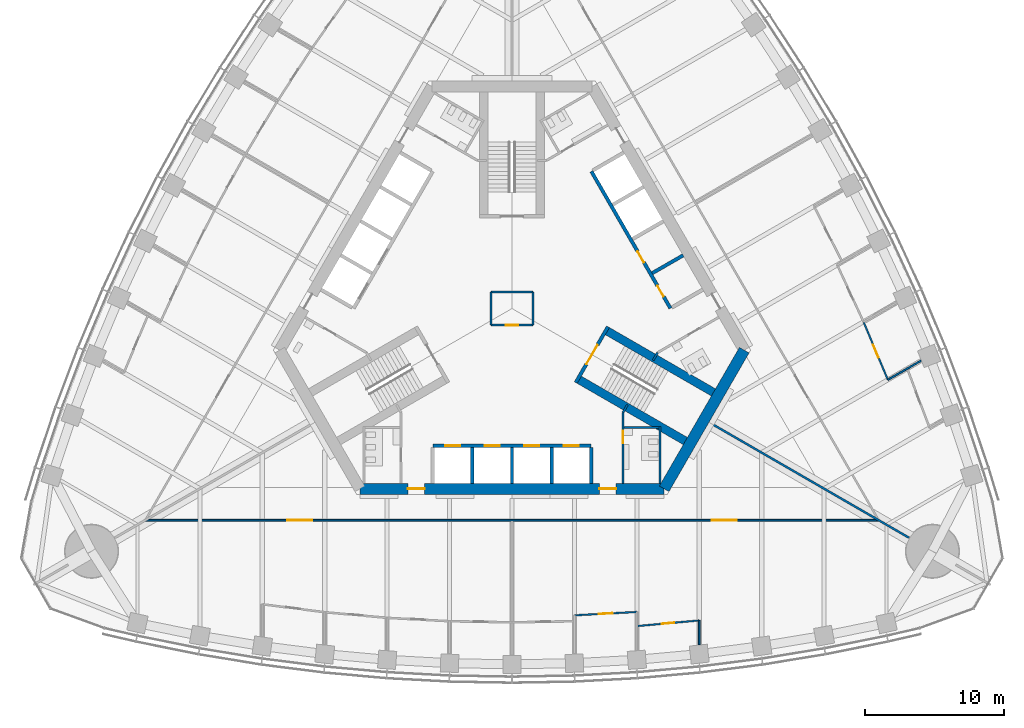
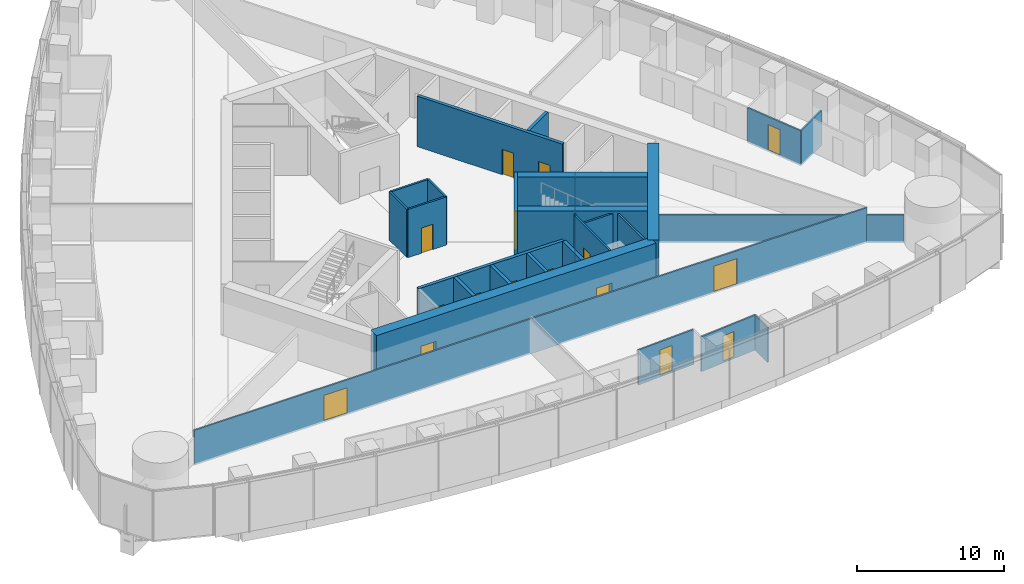
# One storey, part 12 of 19: 28 walls, 16 doors, 16 openings.
"""IFC4 building model written with IfcOpenShell, lengths in metres."""

from ifc_helpers import new_model, si_unit, direction, frame, frame_2d, origin, place, context, subcontext, project, spatial, rectangle, extrude, material, layer, layer_set, type_object, element, fill, save


model = new_model("IFC4")

# Units and contexts
model_context = context("Model", 3, precision=1e-05, world=origin(), true_north=direction((0.0, 1.0)))
body_context = subcontext(model_context, "Body", "Model", "MODEL_VIEW")
ifc_project = project(units=[si_unit("LENGTHUNIT", "METRE"), si_unit("AREAUNIT", "SQUARE_METRE"), si_unit("VOLUMEUNIT", "CUBIC_METRE"), si_unit("PLANEANGLEUNIT", "RADIAN"), si_unit("MASSUNIT", "GRAM", prefix="KILO")], contexts=[model_context])

# Site, building, storey
site_placement = place(None, origin())
site = spatial("IfcSite", under=ifc_project, at=site_placement, CompositionType="ELEMENT")
building_placement = place(site_placement, origin())
building = spatial("IfcBuilding", under=site, at=building_placement, Name="Trefoil Bronze Tower", CompositionType="ELEMENT")
storey_placement = place(building_placement, frame((0.0, 0.0, 128.300048828125)))
storey = spatial("IfcBuildingStorey", under=building, at=storey_placement, Name="L29", CompositionType="ELEMENT", Elevation=128.300048828125)

# Wall, openings, doors
ifc_material_1 = material(Name="Concrete B80", Category="concrete")
ifc_layer_1 = layer(ifc_material_1, 0.800048828125)
ifc_layer_set_1 = layer_set([ifc_layer_1], Name="Core wall 800")
wall_type_1 = type_object("IfcWallType", Name="Core wall 800", PredefinedType="SHEAR", material=ifc_layer_set_1)
wall_1_placement = place(storey_placement, frame((-10.9697265625, -13.0, 0.0), z_axis=(0.0, 0.0, 1.0), x_axis=(1.0, 0.0, 0.0)))
wall_1 = element("IfcWall", 1, at=wall_1_placement, inside=storey, type_object=wall_type_1, Name="Core long wall 1 L29", PredefinedType="SHEAR", context=body_context, shape_type="SweptSolid", body=[
    extrude(rectangle(XDim=21.939453125, YDim=0.800048828125, at=frame_2d((10.9697265625, 0.0))), origin(), (0.0, 0.0, 1.0), 4.199951171875),
])
opening_1_placement = place(wall_1_placement, frame((17.269775390625, 0.0, 0.0)))
opening_1 = element("IfcOpeningElement", 2, at=opening_1_placement, cuts=wall_1, Name="Opening D2", PredefinedType="OPENING", context=body_context, shape_type="SweptSolid", body=[
    extrude(rectangle(XDim=1.199951171875, YDim=2.10009765625, at=frame_2d((0.60009765625, 1.050048828125))), frame((0.0, 0.409912109375, 0.0), z_axis=(0.0, -1.0, 0.0), x_axis=(1.0, 0.0, 0.0)), (0.0, 0.0, 1.0), 0.820068359375),
])
opening_2_placement = place(wall_1_placement, frame((3.4697265625, 0.0, 0.0)))
opening_2 = element("IfcOpeningElement", 3, at=opening_2_placement, cuts=wall_1, Name="Opening D2", PredefinedType="OPENING", context=body_context, shape_type="SweptSolid", body=[
    extrude(rectangle(XDim=1.199951171875, YDim=2.10009765625, at=frame_2d((0.60009765625, 1.050048828125))), frame((0.0, 0.409912109375, 0.0), z_axis=(0.0, -1.0, 0.0), x_axis=(1.0, 0.0, 0.0)), (0.0, 0.0, 1.0), 0.820068359375),
])
ifc_material_2 = material(Name="Steel door", Category="steel")
door_type_1 = type_object("IfcDoorType", Name="Lobby door 1200", OperationType="SINGLE_SWING_RIGHT", PredefinedType="DOOR", material=ifc_material_2)
door_1_placement = place(opening_1_placement, origin())
door_1 = element("IfcDoor", 4, at=door_1_placement, inside=storey, type_object=door_type_1, Name="Lobby door F1+ L29", OperationType="SINGLE_SWING_RIGHT", OverallHeight=2.10009765625, OverallWidth=1.199951171875, PredefinedType="DOOR", context=body_context, shape_type="SweptSolid", body=[
    extrude(rectangle(XDim=1.199951171875, YDim=2.10009765625, at=frame_2d((0.60009765625, 1.050048828125))), frame((0.0, 0.02490234375, 0.0), z_axis=(0.0, -1.0, 0.0), x_axis=(1.0, 0.0, 0.0)), (0.0, 0.0, 1.0), 0.050048828125),
])
fill(opening_1, door_1)
door_2_placement = place(opening_2_placement, origin())
door_2 = element("IfcDoor", 5, at=door_2_placement, inside=storey, type_object=door_type_1, Name="Lobby door F1- L29", OperationType="SINGLE_SWING_LEFT", OverallHeight=2.10009765625, OverallWidth=1.199951171875, PredefinedType="DOOR", context=body_context, shape_type="SweptSolid", body=[
    extrude(rectangle(XDim=1.199951171875, YDim=2.10009765625, at=frame_2d((0.60009765625, 1.050048828125))), frame((0.0, 0.02490234375, 0.0), z_axis=(0.0, -1.0, 0.0), x_axis=(1.0, 0.0, 0.0)), (0.0, 0.0, 1.0), 0.050048828125),
])
fill(opening_2, door_2)

# Wall
wall_2_placement = place(storey_placement, frame((10.9697265625, -13.0, 0.0), z_axis=(0.0, 0.0, 1.0), x_axis=(0.499995765644, 0.866027848477, 0.0)))
element("IfcWall", 6, at=wall_2_placement, inside=storey, type_object=wall_type_1, Name="Core short wall 1 L29", PredefinedType="SHEAR", context=body_context, shape_type="SweptSolid", body=[
    extrude(rectangle(XDim=11.546875, YDim=0.800048828125, at=frame_2d((5.7734375, 0.0))), origin(), (0.0, 0.0, 1.0), 4.199951171875),
])

# Wall, openings, doors
ifc_material_3 = material(Name="Glazed partition", Category="glass")
ifc_layer_2 = layer(ifc_material_3, 0.1201171875)
ifc_layer_set_2 = layer_set([ifc_layer_2], Name="Glazed partition 120")
wall_type_2 = type_object("IfcWallType", Name="Glazed partition 120", PredefinedType="PARTITIONING", material=ifc_layer_set_2)
wall_3_placement = place(storey_placement, frame((-26.398193359375, -15.260009765625, 0.0), z_axis=(0.0, 0.0, 1.0), x_axis=(1.0, 0.0, 0.0)))
wall_3 = element("IfcWall", 7, at=wall_3_placement, inside=storey, type_object=wall_type_2, Name="Partition F1 L29", PredefinedType="PARTITIONING", context=body_context, shape_type="SweptSolid", body=[
    extrude(rectangle(XDim=52.79638671875, YDim=0.1201171875, at=frame_2d((26.398193359375, 0.0))), origin(), (0.0, 0.0, 1.0), 2.89990234375),
])
opening_3_placement = place(wall_3_placement, frame((10.199951171875, 0.0, 0.14990234375)))
opening_3 = element("IfcOpeningElement", 8, at=opening_3_placement, cuts=wall_3, Name="Opening D10", PredefinedType="OPENING", context=body_context, shape_type="SweptSolid", body=[
    extrude(rectangle(XDim=1.800048828125, YDim=2.10009765625, at=frame_2d((0.89990234375, 1.050048828125))), frame((0.0, 0.070068359375, 0.0), z_axis=(0.0, -1.0, 0.0), x_axis=(1.0, 0.0, 0.0)), (0.0, 0.0, 1.0), 0.14013671875),
])
opening_4_placement = place(wall_3_placement, frame((40.800048828125, 0.0, 0.14990234375)))
opening_4 = element("IfcOpeningElement", 9, at=opening_4_placement, cuts=wall_3, Name="Opening D10", PredefinedType="OPENING", context=body_context, shape_type="SweptSolid", body=[
    extrude(rectangle(XDim=1.800048828125, YDim=2.10009765625, at=frame_2d((0.89990234375, 1.050048828125))), frame((0.0, 0.070068359375, 0.0), z_axis=(0.0, -1.0, 0.0), x_axis=(1.0, 0.0, 0.0)), (0.0, 0.0, 1.0), 0.14013671875),
])
ifc_material_4 = material(Name="Timber door", Category="wood")
door_type_2 = type_object("IfcDoorType", Name="Double door 1800", OperationType="DOUBLE_DOOR_SINGLE_SWING", PredefinedType="DOOR", material=ifc_material_4)
door_3_placement = place(opening_3_placement, origin())
door_3 = element("IfcDoor", 10, at=door_3_placement, inside=storey, type_object=door_type_2, Name="Corridor door F1 L29", OperationType="DOUBLE_DOOR_SINGLE_SWING", OverallHeight=2.10009765625, OverallWidth=1.800048828125, PredefinedType="DOOR", context=body_context, shape_type="SweptSolid", body=[
    extrude(rectangle(XDim=1.800048828125, YDim=2.10009765625, at=frame_2d((0.89990234375, 1.050048828125))), frame((0.0, 0.02490234375, 0.0), z_axis=(0.0, -1.0, 0.0), x_axis=(1.0, 0.0, 0.0)), (0.0, 0.0, 1.0), 0.050048828125),
])
fill(opening_3, door_3)
door_4_placement = place(opening_4_placement, origin())
door_4 = element("IfcDoor", 11, at=door_4_placement, inside=storey, type_object=door_type_2, Name="Corridor door F1 L29", OperationType="DOUBLE_DOOR_SINGLE_SWING", OverallHeight=2.10009765625, OverallWidth=1.800048828125, PredefinedType="DOOR", context=body_context, shape_type="SweptSolid", body=[
    extrude(rectangle(XDim=1.800048828125, YDim=2.10009765625, at=frame_2d((0.89990234375, 1.050048828125))), frame((0.0, 0.02490234375, 0.0), z_axis=(0.0, -1.0, 0.0), x_axis=(1.0, 0.0, 0.0)), (0.0, 0.0, 1.0), 0.050048828125),
])
fill(opening_4, door_4)

# Wall, opening, door
wall_4_placement = place(storey_placement, frame((4.5, -22.11865234375, 0.0), z_axis=(0.0, 0.0, 1.0), x_axis=(0.998537376538, 0.054065771581, 0.0)))
wall_4 = element("IfcWall", 12, at=wall_4_placement, inside=storey, type_object=wall_type_2, Name="Partition F1 L29", PredefinedType="PARTITIONING", context=body_context, shape_type="SweptSolid", body=[
    extrude(rectangle(XDim=4.506591796875, YDim=0.1201171875, at=frame_2d((2.25341796875, 0.0))), origin(), (0.0, 0.0, 1.0), 2.89990234375),
])
opening_5_placement = place(wall_4_placement, frame((1.75, 0.0, 0.14990234375)))
opening_5 = element("IfcOpeningElement", 13, at=opening_5_placement, cuts=wall_4, Name="Opening D9", PredefinedType="OPENING", context=body_context, shape_type="SweptSolid", body=[
    extrude(rectangle(XDim=1.0, YDim=2.10009765625, at=frame_2d((0.5, 1.050048828125))), frame((0.0, 0.070068359375, 0.0), z_axis=(0.0, -1.0, 0.0), x_axis=(1.0, 0.0, 0.0)), (0.0, 0.0, 1.0), 0.14013671875),
])
ifc_material_5 = material(Name="Glazed timber door", Category="wood")
door_type_3 = type_object("IfcDoorType", Name="Meeting room door 1000", OperationType="SINGLE_SWING_LEFT", PredefinedType="DOOR", material=ifc_material_5)
door_5_placement = place(opening_5_placement, frame((1.0, 0.0, 0.0), z_axis=(0.0, 0.0, 1.0), x_axis=(-1.0, 0.0, 0.0)))
door_5 = element("IfcDoor", 14, at=door_5_placement, inside=storey, type_object=door_type_3, Name="Meeting room door F1 L29", OperationType="SINGLE_SWING_RIGHT", OverallHeight=2.10009765625, OverallWidth=1.0, PredefinedType="DOOR", context=body_context, shape_type="SweptSolid", body=[
    extrude(rectangle(XDim=1.0, YDim=2.10009765625, at=frame_2d((0.5, 1.050048828125))), frame((0.0, 0.02490234375, 0.0), z_axis=(0.0, -1.0, 0.0), x_axis=(1.0, 0.0, 0.0)), (0.0, 0.0, 1.0), 0.050048828125),
])
fill(opening_5, door_5)

wall_5_placement = place(storey_placement, frame((9.0, -22.89501953125, 0.0), z_axis=(0.0, 0.0, 1.0), x_axis=(0.995930325215, 0.090126507295, 0.0)))
wall_5 = element("IfcWall", 15, at=wall_5_placement, inside=storey, type_object=wall_type_2, Name="Partition F1 L29", PredefinedType="PARTITIONING", context=body_context, shape_type="SweptSolid", body=[
    extrude(rectangle(XDim=4.518310546875, YDim=0.1201171875, at=frame_2d((2.25927734375, 0.0))), origin(), (0.0, 0.0, 1.0), 2.89990234375),
])
opening_6_placement = place(wall_5_placement, frame((1.800048828125, 0.0, 0.14990234375)))
opening_6 = element("IfcOpeningElement", 16, at=opening_6_placement, cuts=wall_5, Name="Opening D8", PredefinedType="OPENING", context=body_context, shape_type="SweptSolid", body=[
    extrude(rectangle(XDim=0.89990234375, YDim=2.10009765625, at=frame_2d((0.449951171875, 1.050048828125))), frame((0.0, 0.070068359375, 0.0), z_axis=(0.0, -1.0, 0.0), x_axis=(1.0, 0.0, 0.0)), (0.0, 0.0, 1.0), 0.14013671875),
])
ifc_material_6 = material(Name="Timber door", Category="wood")
door_type_4 = type_object("IfcDoorType", Name="Office door 900", OperationType="SINGLE_SWING_LEFT", PredefinedType="DOOR", material=ifc_material_6)
door_6_placement = place(opening_6_placement, frame((0.89990234375, 0.0, 0.0), z_axis=(0.0, 0.0, 1.0), x_axis=(-1.0, 0.0, 0.0)))
door_6 = element("IfcDoor", 17, at=door_6_placement, inside=storey, type_object=door_type_4, Name="Pantry door F1 L29", OperationType="SINGLE_SWING_RIGHT", OverallHeight=2.10009765625, OverallWidth=0.89990234375, PredefinedType="DOOR", context=body_context, shape_type="SweptSolid", body=[
    extrude(rectangle(XDim=0.89990234375, YDim=2.10009765625, at=frame_2d((0.449951171875, 1.050048828125))), frame((0.0, 0.02490234375, 0.0), z_axis=(0.0, -1.0, 0.0), x_axis=(1.0, 0.0, 0.0)), (0.0, 0.0, 1.0), 0.050048828125),
])
fill(opening_6, door_6)

# Wall
wall_6_placement = place(storey_placement, frame((13.5, -22.48779296875, 0.0), z_axis=(0.0, 0.0, 1.0), x_axis=(0.0, -1.0, 0.0)))
element("IfcWall", 18, at=wall_6_placement, inside=storey, type_object=wall_type_2, Name="Partition F1 L29", PredefinedType="PARTITIONING", context=body_context, shape_type="SweptSolid", body=[
    extrude(rectangle(XDim=1.741455078125, YDim=0.1201171875, at=frame_2d((0.87060546875, 0.0))), origin(), (0.0, 0.0, 1.0), 2.89990234375),
])

# Wall, opening, door
wall_7_placement = place(storey_placement, frame((27.09619140625, -5.140625, 0.0), z_axis=(0.0, 0.0, 1.0), x_axis=(-0.386807881778, 0.922160323693, 0.0)))
wall_7 = element("IfcWall", 19, at=wall_7_placement, inside=storey, type_object=wall_type_2, Name="Partition F2 L29", PredefinedType="PARTITIONING", context=body_context, shape_type="SweptSolid", body=[
    extrude(rectangle(XDim=4.5361328125, YDim=0.1201171875, at=frame_2d((2.26806640625, 0.0))), origin(), (0.0, 0.0, 1.0), 2.89990234375),
])
opening_7_placement = place(wall_7_placement, frame((1.75, 0.0, 0.14990234375)))
opening_7 = element("IfcOpeningElement", 20, at=opening_7_placement, cuts=wall_7, Name="Opening D9", PredefinedType="OPENING", context=body_context, shape_type="SweptSolid", body=[
    extrude(rectangle(XDim=1.0, YDim=2.10009765625, at=frame_2d((0.5, 1.050048828125))), frame((0.0, 0.070068359375, 0.0), z_axis=(0.0, -1.0, 0.0), x_axis=(1.0, 0.0, 0.0)), (0.0, 0.0, 1.0), 0.14013671875),
])
door_7_placement = place(opening_7_placement, frame((1.0, 0.0, 0.0), z_axis=(0.0, 0.0, 1.0), x_axis=(-1.0, 0.0, 0.0)))
door_7 = element("IfcDoor", 21, at=door_7_placement, inside=storey, type_object=door_type_3, Name="Meeting room door F2 L29", OperationType="SINGLE_SWING_RIGHT", OverallHeight=2.10009765625, OverallWidth=1.0, PredefinedType="DOOR", context=body_context, shape_type="SweptSolid", body=[
    extrude(rectangle(XDim=1.0, YDim=2.10009765625, at=frame_2d((0.5, 1.050048828125))), frame((0.0, 0.02490234375, 0.0), z_axis=(0.0, -1.0, 0.0), x_axis=(1.0, 0.0, 0.0)), (0.0, 0.0, 1.0), 0.050048828125),
])
fill(opening_7, door_7)

# Wall
wall_8_placement = place(storey_placement, frame((27.09619140625, -5.140625, 0.0), z_axis=(0.0, 0.0, 1.0), x_axis=(0.866014354455, 0.500019137511, 0.0)))
element("IfcWall", 22, at=wall_8_placement, inside=storey, type_object=wall_type_2, Name="Partition F2 L29", PredefinedType="PARTITIONING", context=body_context, shape_type="SweptSolid", body=[
    extrude(rectangle(XDim=2.75439453125, YDim=0.1201171875, at=frame_2d((1.377197265625, 0.0))), origin(), (0.0, 0.0, 1.0), 2.89990234375),
])

# Wall, opening, door
ifc_material_7 = material(Name="Gypsum board on steel studs", Category="steel")
ifc_layer_3 = layer(ifc_material_7, 0.14990234375)
ifc_layer_set_3 = layer_set([ifc_layer_3], Name="Partition 150")
wall_type_3 = type_object("IfcWallType", Name="Partition 150", PredefinedType="PARTITIONING", material=ifc_layer_set_3)
wall_9_placement = place(storey_placement, frame((8.0, -7.5, 0.0), z_axis=(0.0, 0.0, 1.0), x_axis=(0.0, -1.0, 0.0)))
wall_9 = element("IfcWall", 23, at=wall_9_placement, inside=storey, type_object=wall_type_3, Name="Passage wall F1+ L29", PredefinedType="PARTITIONING", context=body_context, shape_type="SweptSolid", body=[
    extrude(rectangle(XDim=5.10009765625, YDim=0.14990234375, at=frame_2d((2.550048828125, 0.0))), origin(), (0.0, 0.0, 1.0), 4.0),
])
opening_8_placement = place(wall_9_placement, frame((1.300048828125, 0.0, 0.0)))
opening_8 = element("IfcOpeningElement", 24, at=opening_8_placement, cuts=wall_9, Name="Opening D3", PredefinedType="OPENING", context=body_context, shape_type="SweptSolid", body=[
    extrude(rectangle(XDim=0.89990234375, YDim=2.10009765625, at=frame_2d((0.449951171875, 1.050048828125))), frame((0.0, 0.0849609375, 0.0), z_axis=(0.0, -1.0, 0.0), x_axis=(1.0, 0.0, 0.0)), (0.0, 0.0, 1.0), 0.169921875),
])
ifc_material_8 = material(Name="Timber door", Category="wood")
door_type_5 = type_object("IfcDoorType", Name="WC door 900", OperationType="SINGLE_SWING_LEFT", PredefinedType="DOOR", material=ifc_material_8)
door_8_placement = place(opening_8_placement, origin())
door_8 = element("IfcDoor", 25, at=door_8_placement, inside=storey, type_object=door_type_5, Name="WC (men) door L29", OperationType="SINGLE_SWING_LEFT", OverallHeight=2.10009765625, OverallWidth=0.89990234375, PredefinedType="DOOR", context=body_context, shape_type="SweptSolid", body=[
    extrude(rectangle(XDim=0.89990234375, YDim=2.10009765625, at=frame_2d((0.449951171875, 1.050048828125))), frame((0.0, 0.02490234375, 0.0), z_axis=(0.0, -1.0, 0.0), x_axis=(1.0, 0.0, 0.0)), (0.0, 0.0, 1.0), 0.050048828125),
])
fill(opening_8, door_8)

# Walls
for number, where, z_axis, x_axis, name in (
    (26, (8.0, -7.5, 0.0), (0.0, 0.0, 1.0), (0.499842556608, 0.866116284689, 0.0), "WC wall ST1-1 L29"),
    (27, (10.4951171875, -3.17822265625, 0.0), (0.0, 0.0, 1.0), (-0.499842556608, -0.866116284689, 0.0), "WC wall ST1+1 L29"),
):
    element("IfcWall", number, at=place(storey_placement, frame(where, z_axis=z_axis, x_axis=x_axis)), inside=storey, type_object=wall_type_3, Name=name, PredefinedType="PARTITIONING", context=body_context, shape_type="SweptSolid", body=[
        extrude(rectangle(XDim=0.645263671875, YDim=0.14990234375, at=frame_2d((0.32275390625, 0.0))), origin(), (0.0, 0.0, 1.0), 4.0),
    ])
wall_10_placement = place(storey_placement, frame((10.659912109375, -8.5, 0.0), z_axis=(0.0, 0.0, 1.0), x_axis=(0.0, -1.0, 0.0)))
element("IfcWall", 28, at=wall_10_placement, inside=storey, type_object=wall_type_3, Name="WC partition WC (men) L29", PredefinedType="PARTITIONING", context=body_context, shape_type="SweptSolid", body=[
    extrude(rectangle(XDim=4.10009765625, YDim=0.14990234375, at=frame_2d((2.050048828125, 0.0))), origin(), (0.0, 0.0, 1.0), 4.0),
])
wall_11_placement = place(storey_placement, frame((8.074951171875, -8.574951171875, 0.0), z_axis=(0.0, 0.0, 1.0), x_axis=(1.0, 0.0, 0.0)))
element("IfcWall", 29, at=wall_11_placement, inside=storey, type_object=wall_type_3, Name="WC partition WC (men) L29", PredefinedType="PARTITIONING", context=body_context, shape_type="SweptSolid", body=[
    extrude(rectangle(XDim=2.510009765625, YDim=0.14990234375, at=frame_2d((1.2548828125, 0.0))), origin(), (0.0, 0.0, 1.0), 4.0),
])
ifc_material_9 = material(Name="Gypsum board on steel studs", Category="steel")
ifc_layer_4 = layer(ifc_material_9, 0.14990234375)
ifc_layer_set_4 = layer_set([ifc_layer_4], Name="Party wall 150")
wall_type_4 = type_object("IfcWallType", Name="Party wall 150", PredefinedType="PARTITIONING", material=ifc_layer_set_4)
wall_12_placement = place(storey_placement, frame((14.202880859375, -8.199951171875, 0.0), z_axis=(0.0, 0.0, 1.0), x_axis=(0.866024668836, -0.500001272966, 0.0)))
element("IfcWall", 30, at=wall_12_placement, inside=storey, type_object=wall_type_4, Name="Party wall K1 L29", PredefinedType="PARTITIONING", context=body_context, shape_type="SweptSolid", body=[
    extrude(rectangle(XDim=16.64990234375, YDim=0.14990234375, at=frame_2d((8.324951171875, 0.0))), origin(), (0.0, 0.0, 1.0), 2.300048828125),
])

# Wall, opening, door
ifc_material_10 = material(Name="Gypsum board on steel studs", Category="steel")
ifc_layer_5 = layer(ifc_material_10, 0.14990234375)
ifc_layer_set_5 = layer_set([ifc_layer_5], Name="Riser wall 150")
wall_type_5 = type_object("IfcWallType", Name="Riser wall 150", PredefinedType="PARTITIONING", material=ifc_layer_set_5)
wall_13_placement = place(storey_placement, frame((-1.5, -1.199951171875, 0.0), z_axis=(0.0, 0.0, 1.0), x_axis=(1.0, 0.0, 0.0)))
wall_13 = element("IfcWall", 31, at=wall_13_placement, inside=storey, type_object=wall_type_5, Name="Riser wall L29", PredefinedType="PARTITIONING", context=body_context, shape_type="SweptSolid", body=[
    extrude(rectangle(XDim=3.0, YDim=0.14990234375, at=frame_2d((1.5, 0.0))), origin(), (0.0, 0.0, 1.0), 4.0),
])
opening_9_placement = place(wall_13_placement, frame((1.050048828125, 0.0, 0.0)))
opening_9 = element("IfcOpeningElement", 32, at=opening_9_placement, cuts=wall_13, Name="Opening D4", PredefinedType="OPENING", context=body_context, shape_type="SweptSolid", body=[
    extrude(rectangle(XDim=0.89990234375, YDim=2.10009765625, at=frame_2d((0.449951171875, 1.050048828125))), frame((0.0, 0.0849609375, 0.0), z_axis=(0.0, -1.0, 0.0), x_axis=(1.0, 0.0, 0.0)), (0.0, 0.0, 1.0), 0.169921875),
])
ifc_material_11 = material(Name="Steel door", Category="steel")
door_type_6 = type_object("IfcDoorType", Name="Riser door 900", OperationType="SINGLE_SWING_LEFT", PredefinedType="DOOR", material=ifc_material_11)
door_9_placement = place(opening_9_placement, frame((0.89990234375, 0.0, 0.0), z_axis=(0.0, 0.0, 1.0), x_axis=(-1.0, 0.0, 0.0)))
door_9 = element("IfcDoor", 33, at=door_9_placement, inside=storey, type_object=door_type_6, Name="Riser door L29", OperationType="SINGLE_SWING_LEFT", OverallHeight=2.10009765625, OverallWidth=0.89990234375, PredefinedType="DOOR", context=body_context, shape_type="SweptSolid", body=[
    extrude(rectangle(XDim=0.89990234375, YDim=2.10009765625, at=frame_2d((0.449951171875, 1.050048828125))), frame((0.0, 0.02490234375, 0.0), z_axis=(0.0, -1.0, 0.0), x_axis=(1.0, 0.0, 0.0)), (0.0, 0.0, 1.0), 0.050048828125),
])
fill(opening_9, door_9)

# Walls
wall_14_placement = place(storey_placement, frame((1.5, -1.199951171875, 0.0), z_axis=(0.0, 0.0, 1.0), x_axis=(0.0, 1.0, 0.0)))
element("IfcWall", 34, at=wall_14_placement, inside=storey, type_object=wall_type_5, Name="Riser wall L29", PredefinedType="PARTITIONING", context=body_context, shape_type="SweptSolid", body=[
    extrude(rectangle(XDim=2.39990234375, YDim=0.14990234375, at=frame_2d((1.199951171875, 0.0))), origin(), (0.0, 0.0, 1.0), 4.0),
])
wall_15_placement = place(storey_placement, frame((1.5, 1.199951171875, 0.0), z_axis=(0.0, 0.0, 1.0), x_axis=(-1.0, 0.0, 0.0)))
element("IfcWall", 35, at=wall_15_placement, inside=storey, type_object=wall_type_5, Name="Riser wall L29", PredefinedType="PARTITIONING", context=body_context, shape_type="SweptSolid", body=[
    extrude(rectangle(XDim=3.0, YDim=0.14990234375, at=frame_2d((1.5, 0.0))), origin(), (0.0, 0.0, 1.0), 4.0),
])
wall_16_placement = place(storey_placement, frame((-1.5, 1.199951171875, 0.0), z_axis=(0.0, 0.0, 1.0), x_axis=(0.0, -1.0, 0.0)))
element("IfcWall", 36, at=wall_16_placement, inside=storey, type_object=wall_type_5, Name="Riser wall L29", PredefinedType="PARTITIONING", context=body_context, shape_type="SweptSolid", body=[
    extrude(rectangle(XDim=2.39990234375, YDim=0.14990234375, at=frame_2d((1.199951171875, 0.0))), origin(), (0.0, 0.0, 1.0), 4.0),
])

# Wall, openings, doors
ifc_material_12 = material(Name="Concrete B80", Category="concrete")
ifc_layer_6 = layer(ifc_material_12, 0.25)
ifc_layer_set_6 = layer_set([ifc_layer_6], Name="Shaft wall 250")
wall_type_6 = type_object("IfcWallType", Name="Shaft wall 250", PredefinedType="SHEAR", material=ifc_layer_set_6)
wall_17_placement = place(storey_placement, frame((-5.699951171875, -9.89990234375, 0.0), z_axis=(0.0, 0.0, 1.0), x_axis=(1.0, 0.0, 0.0)))
wall_17 = element("IfcWall", 37, at=wall_17_placement, inside=storey, type_object=wall_type_6, Name="Lift shaft front wall A L29", PredefinedType="SHEAR", context=body_context, shape_type="SweptSolid", body=[
    extrude(rectangle(XDim=11.39990234375, YDim=0.25, at=frame_2d((5.699951171875, 0.0))), origin(), (0.0, 0.0, 1.0), 4.199951171875),
])
opening_10_placement = place(wall_17_placement, frame((0.875, 0.0, 0.0)))
opening_10 = element("IfcOpeningElement", 38, at=opening_10_placement, cuts=wall_17, Name="Opening LD-P21", PredefinedType="OPENING", context=body_context, shape_type="SweptSolid", body=[
    extrude(rectangle(XDim=1.10009765625, YDim=2.199951171875, at=frame_2d((0.550048828125, 1.10009765625))), frame((0.0, 0.135009765625, 0.0), z_axis=(0.0, -1.0, 0.0), x_axis=(1.0, 0.0, 0.0)), (0.0, 0.0, 1.0), 0.27001953125),
])
opening_11_placement = place(wall_17_placement, frame((3.72509765625, 0.0, 0.0)))
opening_11 = element("IfcOpeningElement", 39, at=opening_11_placement, cuts=wall_17, Name="Opening LD-P22", PredefinedType="OPENING", context=body_context, shape_type="SweptSolid", body=[
    extrude(rectangle(XDim=1.10009765625, YDim=2.199951171875, at=frame_2d((0.550048828125, 1.10009765625))), frame((0.0, 0.135009765625, 0.0), z_axis=(0.0, -1.0, 0.0), x_axis=(1.0, 0.0, 0.0)), (0.0, 0.0, 1.0), 0.27001953125),
])
opening_12_placement = place(wall_17_placement, frame((6.574951171875, 0.0, 0.0)))
opening_12 = element("IfcOpeningElement", 40, at=opening_12_placement, cuts=wall_17, Name="Opening LD-P23", PredefinedType="OPENING", context=body_context, shape_type="SweptSolid", body=[
    extrude(rectangle(XDim=1.10009765625, YDim=2.199951171875, at=frame_2d((0.550048828125, 1.10009765625))), frame((0.0, 0.135009765625, 0.0), z_axis=(0.0, -1.0, 0.0), x_axis=(1.0, 0.0, 0.0)), (0.0, 0.0, 1.0), 0.27001953125),
])
opening_13_placement = place(wall_17_placement, frame((9.425048828125, 0.0, 0.0)))
opening_13 = element("IfcOpeningElement", 41, at=opening_13_placement, cuts=wall_17, Name="Opening LD-P24", PredefinedType="OPENING", context=body_context, shape_type="SweptSolid", body=[
    extrude(rectangle(XDim=1.10009765625, YDim=2.199951171875, at=frame_2d((0.550048828125, 1.10009765625))), frame((0.0, 0.135009765625, 0.0), z_axis=(0.0, -1.0, 0.0), x_axis=(1.0, 0.0, 0.0)), (0.0, 0.0, 1.0), 0.27001953125),
])
ifc_material_13 = material(Name="Steel door", Category="steel")
door_type_7 = type_object("IfcDoorType", Name="Lift landing door 1100", OperationType="DOUBLE_DOOR_SLIDING", PredefinedType="DOOR", material=ifc_material_13)
door_10_placement = place(opening_10_placement, origin())
door_10 = element("IfcDoor", 42, at=door_10_placement, inside=storey, type_object=door_type_7, Name="Lift P21 landing door L29", OperationType="DOUBLE_DOOR_SLIDING", OverallHeight=2.199951171875, OverallWidth=1.10009765625, PredefinedType="DOOR", context=body_context, shape_type="SweptSolid", body=[
    extrude(rectangle(XDim=1.10009765625, YDim=2.199951171875, at=frame_2d((0.550048828125, 1.10009765625))), frame((0.0, 0.02490234375, 0.0), z_axis=(0.0, -1.0, 0.0), x_axis=(1.0, 0.0, 0.0)), (0.0, 0.0, 1.0), 0.050048828125),
])
fill(opening_10, door_10)
door_11_placement = place(opening_11_placement, origin())
door_11 = element("IfcDoor", 43, at=door_11_placement, inside=storey, type_object=door_type_7, Name="Lift P22 landing door L29", OperationType="DOUBLE_DOOR_SLIDING", OverallHeight=2.199951171875, OverallWidth=1.10009765625, PredefinedType="DOOR", context=body_context, shape_type="SweptSolid", body=[
    extrude(rectangle(XDim=1.10009765625, YDim=2.199951171875, at=frame_2d((0.550048828125, 1.10009765625))), frame((0.0, 0.02490234375, 0.0), z_axis=(0.0, -1.0, 0.0), x_axis=(1.0, 0.0, 0.0)), (0.0, 0.0, 1.0), 0.050048828125),
])
fill(opening_11, door_11)
door_12_placement = place(opening_12_placement, origin())
door_12 = element("IfcDoor", 44, at=door_12_placement, inside=storey, type_object=door_type_7, Name="Lift P23 landing door L29", OperationType="DOUBLE_DOOR_SLIDING", OverallHeight=2.199951171875, OverallWidth=1.10009765625, PredefinedType="DOOR", context=body_context, shape_type="SweptSolid", body=[
    extrude(rectangle(XDim=1.10009765625, YDim=2.199951171875, at=frame_2d((0.550048828125, 1.10009765625))), frame((0.0, 0.02490234375, 0.0), z_axis=(0.0, -1.0, 0.0), x_axis=(1.0, 0.0, 0.0)), (0.0, 0.0, 1.0), 0.050048828125),
])
fill(opening_12, door_12)
door_13_placement = place(opening_13_placement, origin())
door_13 = element("IfcDoor", 45, at=door_13_placement, inside=storey, type_object=door_type_7, Name="Lift P24 landing door L29", OperationType="DOUBLE_DOOR_SLIDING", OverallHeight=2.199951171875, OverallWidth=1.10009765625, PredefinedType="DOOR", context=body_context, shape_type="SweptSolid", body=[
    extrude(rectangle(XDim=1.10009765625, YDim=2.199951171875, at=frame_2d((0.550048828125, 1.10009765625))), frame((0.0, 0.02490234375, 0.0), z_axis=(0.0, -1.0, 0.0), x_axis=(1.0, 0.0, 0.0)), (0.0, 0.0, 1.0), 0.050048828125),
])
fill(opening_13, door_13)

# Walls
for number, where, z_axis, x_axis, name in (
    (46, (-2.85009765625, -10.02490234375, 0.0), (0.0, 0.0, 1.0), (0.0, -1.0, 0.0), "Lift shaft side wall A1 L29"),
    (47, (0.0, -10.02490234375, 0.0), (0.0, 0.0, 1.0), (0.0, -1.0, 0.0), "Lift shaft side wall A2 L29"),
    (48, (2.85009765625, -10.02490234375, 0.0), (0.0, 0.0, 1.0), (0.0, -1.0, 0.0), "Lift shaft side wall A3 L29"),
    (49, (5.699951171875, -10.02490234375, 0.0), (0.0, 0.0, 1.0), (0.0, -1.0, 0.0), "Lift shaft side wall A4 L29"),
):
    element("IfcWall", number, at=place(storey_placement, frame(where, z_axis=z_axis, x_axis=x_axis)), inside=storey, type_object=wall_type_6, Name=name, PredefinedType="SHEAR", context=body_context, shape_type="SweptSolid", body=[
        extrude(rectangle(XDim=2.5751953125, YDim=0.25, at=frame_2d((1.28759765625, 0.0))), origin(), (0.0, 0.0, 1.0), 4.199951171875),
    ])

# Wall, openings, doors
wall_18_placement = place(storey_placement, frame((11.423583984375, 0.013671875, 0.0), z_axis=(0.0, 0.0, 1.0), x_axis=(-0.500001763848, 0.866024385424, 0.0)))
wall_18 = element("IfcWall", 50, at=wall_18_placement, inside=storey, type_object=wall_type_6, Name="Lift shaft front wall B L29", PredefinedType="SHEAR", context=body_context, shape_type="SweptSolid", body=[
    extrude(rectangle(XDim=11.39990234375, YDim=0.25, at=frame_2d((5.699951171875, 0.0))), origin(), (0.0, 0.0, 1.0), 4.199951171875),
])
opening_14_placement = place(wall_18_placement, frame((0.97509765625, 0.0, 0.0)))
opening_14 = element("IfcOpeningElement", 51, at=opening_14_placement, cuts=wall_18, Name="Opening D12", PredefinedType="OPENING", context=body_context, shape_type="SweptSolid", body=[
    extrude(rectangle(XDim=0.89990234375, YDim=2.10009765625, at=frame_2d((0.449951171875, 1.050048828125))), frame((0.0, 0.135009765625, 0.0), z_axis=(0.0, -1.0, 0.0), x_axis=(1.0, 0.0, 0.0)), (0.0, 0.0, 1.0), 0.27001953125),
])
opening_15_placement = place(wall_18_placement, frame((3.824951171875, 0.0, 0.0)))
opening_15 = element("IfcOpeningElement", 52, at=opening_15_placement, cuts=wall_18, Name="Opening D12", PredefinedType="OPENING", context=body_context, shape_type="SweptSolid", body=[
    extrude(rectangle(XDim=0.89990234375, YDim=2.10009765625, at=frame_2d((0.449951171875, 1.050048828125))), frame((0.0, 0.135009765625, 0.0), z_axis=(0.0, -1.0, 0.0), x_axis=(1.0, 0.0, 0.0)), (0.0, 0.0, 1.0), 0.27001953125),
])
ifc_material_14 = material(Name="Steel door", Category="steel")
door_type_8 = type_object("IfcDoorType", Name="Shaft room door 900", OperationType="SINGLE_SWING_LEFT", PredefinedType="DOOR", material=ifc_material_14)
door_14_placement = place(opening_14_placement, frame((0.89990234375, 0.0, 0.0), z_axis=(0.0, 0.0, 1.0), x_axis=(-1.0, 0.0, 0.0)))
door_14 = element("IfcDoor", 53, at=door_14_placement, inside=storey, type_object=door_type_8, Name="Shaft room door B1 L29", OperationType="SINGLE_SWING_LEFT", OverallHeight=2.10009765625, OverallWidth=0.89990234375, PredefinedType="DOOR", context=body_context, shape_type="SweptSolid", body=[
    extrude(rectangle(XDim=0.89990234375, YDim=2.10009765625, at=frame_2d((0.449951171875, 1.050048828125))), frame((0.0, 0.02490234375, 0.0), z_axis=(0.0, -1.0, 0.0), x_axis=(1.0, 0.0, 0.0)), (0.0, 0.0, 1.0), 0.050048828125),
])
fill(opening_14, door_14)
door_15_placement = place(opening_15_placement, frame((0.89990234375, 0.0, 0.0), z_axis=(0.0, 0.0, 1.0), x_axis=(-1.0, 0.0, 0.0)))
door_15 = element("IfcDoor", 54, at=door_15_placement, inside=storey, type_object=door_type_8, Name="Shaft room door B2 L29", OperationType="SINGLE_SWING_RIGHT", OverallHeight=2.10009765625, OverallWidth=0.89990234375, PredefinedType="DOOR", context=body_context, shape_type="SweptSolid", body=[
    extrude(rectangle(XDim=0.89990234375, YDim=2.10009765625, at=frame_2d((0.449951171875, 1.050048828125))), frame((0.0, 0.02490234375, 0.0), z_axis=(0.0, -1.0, 0.0), x_axis=(1.0, 0.0, 0.0)), (0.0, 0.0, 1.0), 0.050048828125),
])
fill(opening_15, door_15)

# Wall
wall_19_placement = place(storey_placement, frame((10.10693359375, 2.54443359375, 0.0), z_axis=(0.0, 0.0, 1.0), x_axis=(0.866046643894, 0.499963209246, 0.0)))
element("IfcWall", 55, at=wall_19_placement, inside=storey, type_object=wall_type_6, Name="Lift shaft side wall B1 L29", PredefinedType="SHEAR", context=body_context, shape_type="SweptSolid", body=[
    extrude(rectangle(XDim=2.574951171875, YDim=0.25, at=frame_2d((1.28759765625, 0.0))), origin(), (0.0, 0.0, 1.0), 4.199951171875),
])

# Wall, opening, door
wall_20_placement = place(storey_placement, frame((4.5966796875, -5.338623046875, 0.0), z_axis=(0.0, 0.0, 1.0), x_axis=(0.499984536904, 0.866034331223, 0.0)))
wall_20 = element("IfcWall", 56, at=wall_20_placement, inside=storey, type_object=wall_type_6, Name="Stair end wall ST1 L29", PredefinedType="SHEAR", context=body_context, shape_type="SweptSolid", body=[
    extrude(rectangle(XDim=4.650146484375, YDim=0.25, at=frame_2d((2.3251953125, 0.0))), origin(), (0.0, 0.0, 1.0), 4.199951171875),
])
opening_16_placement = place(wall_20_placement, frame((1.52490234375, 0.0, 0.0)))
opening_16 = element("IfcOpeningElement", 57, at=opening_16_placement, cuts=wall_20, Name="Opening D1", PredefinedType="OPENING", context=body_context, shape_type="SweptSolid", body=[
    extrude(rectangle(XDim=1.60009765625, YDim=2.10009765625, at=frame_2d((0.800048828125, 1.050048828125))), frame((0.0, 0.135009765625, 0.0), z_axis=(0.0, -1.0, 0.0), x_axis=(1.0, 0.0, 0.0)), (0.0, 0.0, 1.0), 0.27001953125),
])
ifc_material_15 = material(Name="Steel door", Category="steel")
door_type_9 = type_object("IfcDoorType", Name="Stair door 1600", OperationType="DOUBLE_DOOR_SINGLE_SWING", PredefinedType="DOOR", material=ifc_material_15)
door_16_placement = place(opening_16_placement, frame((1.60009765625, 0.0, 0.0), z_axis=(0.0, 0.0, 1.0), x_axis=(-1.0, 0.0, 0.0)))
door_16 = element("IfcDoor", 58, at=door_16_placement, inside=storey, type_object=door_type_9, Name="Stair door ST1 L29", OperationType="DOUBLE_DOOR_SINGLE_SWING", OverallHeight=2.10009765625, OverallWidth=1.60009765625, PredefinedType="DOOR", context=body_context, shape_type="SweptSolid", body=[
    extrude(rectangle(XDim=1.60009765625, YDim=2.10009765625, at=frame_2d((0.800048828125, 1.050048828125))), frame((0.0, 0.02490234375, 0.0), z_axis=(0.0, -1.0, 0.0), x_axis=(1.0, 0.0, 0.0)), (0.0, 0.0, 1.0), 0.050048828125),
])
fill(opening_16, door_16)

# Walls
ifc_material_16 = material(Name="Concrete B80", Category="concrete")
ifc_layer_7 = layer(ifc_material_16, 0.60009765625)
ifc_layer_set_7 = layer_set([ifc_layer_7], Name="Stair wall 600")
wall_type_7 = type_object("IfcWallType", Name="Stair wall 600", PredefinedType="SHEAR", material=ifc_layer_set_7)
for number, where, z_axis, x_axis, name in (
    (59, (4.638427734375, -5.01611328125, 0.0), (0.0, 0.0, 1.0), (0.866019375473, -0.500010441196, 0.0), "Stair wall ST1 L29"),
    (60, (6.663330078125, -1.5087890625, 0.0), (0.0, 0.0, 1.0), (0.866019375473, -0.500010441196, 0.0), "Stair wall ST1 L29"),
):
    element("IfcWall", number, at=place(storey_placement, frame(where, z_axis=z_axis, x_axis=x_axis)), inside=storey, type_object=wall_type_7, Name=name, PredefinedType="SHEAR", context=body_context, shape_type="SweptSolid", body=[
        extrude(rectangle(XDim=9.074951171875, YDim=0.60009765625, at=frame_2d((4.53759765625, 0.0))), origin(), (0.0, 0.0, 1.0), 4.199951171875),
    ])

save(model, "model.ifc")
